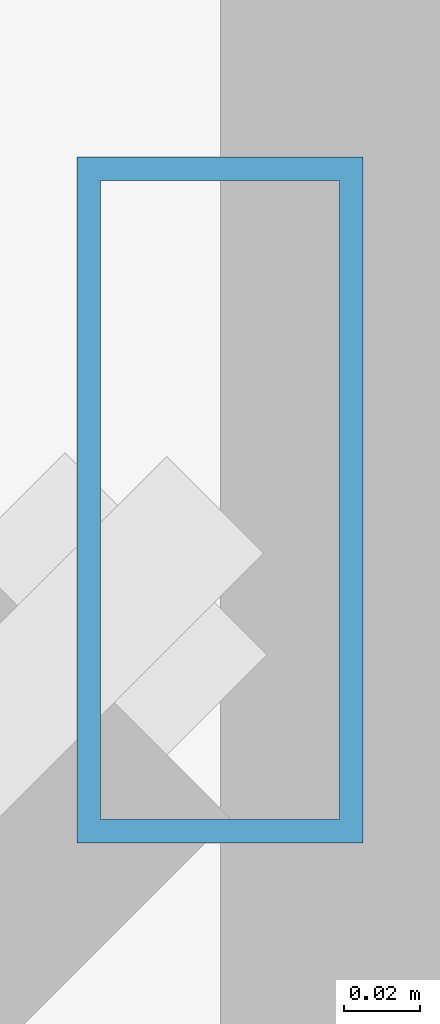
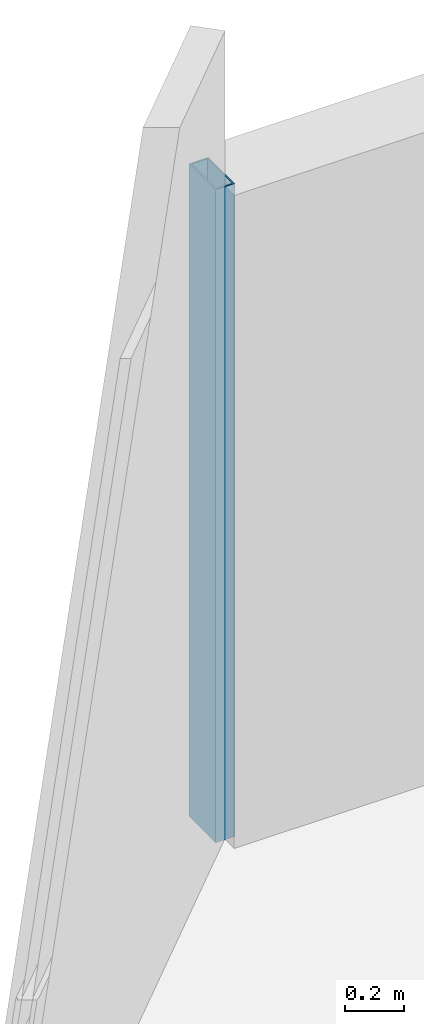
# One storey, part 18 of 34: 1 member, 1 element without a shape of its own.
"""IFC4 building model written with IfcOpenShell, lengths in metres."""

from ifc_helpers import new_model, si_unit, direction, frame, origin, origin_2d, place, context, subcontext, project, spatial, hollow_rectangle, extrude, material, material_profile, profile_set, type_object, element, aggregate, save


model = new_model("IFC4")

# Units and contexts
model_context = context("Model", 3, precision=1e-05, world=origin(), true_north=direction((0.0, 1.0)))
body_context = subcontext(model_context, "Body", "Model", "MODEL_VIEW")
ifc_project = project(units=[si_unit("LENGTHUNIT", "METRE"), si_unit("AREAUNIT", "SQUARE_METRE"), si_unit("VOLUMEUNIT", "CUBIC_METRE"), si_unit("PLANEANGLEUNIT", "RADIAN"), si_unit("MASSUNIT", "GRAM", prefix="KILO")], contexts=[model_context])

# Site, building, storey
site_placement = place(None, origin())
site = spatial("IfcSite", under=ifc_project, at=site_placement, CompositionType="ELEMENT")
building_placement = place(site_placement, origin())
building = spatial("IfcBuilding", under=site, at=building_placement, Name="Thornwick Lancets Civic Towers", CompositionType="ELEMENT")
storey_placement = place(building_placement, frame((0.0, 0.0, 261.89990234375)))
storey = spatial("IfcBuildingStorey", under=building, at=storey_placement, Name="L70", CompositionType="ELEMENT", Elevation=261.89990234375)

# Curtain wall, member
ifc_material_1 = material(Name="High-zone chamfered-corner unitised glass curtain wall", Category="glass")
curtain_wall_type = type_object("IfcCurtainWallType", Name="CW_SYS_05", PredefinedType="NOTDEFINED", material=ifc_material_1)
curtain_wall_placement = place(storey_placement, origin())
curtain_wall = element("IfcCurtainWall", 1, at=curtain_wall_placement, inside=storey, type_object=curtain_wall_type, Name="L70 Curtain Wall CW-L70-B-E5", PredefinedType="NOTDEFINED")
ifc_material_2 = material(Name="Thermally broken bronze aluminium S355", Category="steel")
ifc_material_profile = material_profile(ifc_material_2, hollow_rectangle(XDim=0.074951171875, YDim=0.179931640625, WallThickness=0.006103515625, at=origin_2d()), Name="RHS 180x75x6")
ifc_profile_set = profile_set([ifc_material_profile], Name="Thermally broken bronze aluminium S355")
member_type = type_object("IfcMemberType", Name="CW_MUL_180", PredefinedType="MULLION", material=ifc_profile_set)
member_placement = place(storey_placement, frame((74.42236328125, 50.760986328125, 0.0), z_axis=(0.0, 0.0, 1.0), x_axis=(1.0, 0.0, 0.0)))
member = element("IfcMember", 2, at=member_placement, type_object=member_type, Name="CW-L70-B-E5 Mullion 0", PredefinedType="MULLION", context=body_context, shape_type="SweptSolid", body=[
    extrude(hollow_rectangle(XDim=0.074951171875, YDim=0.179931640625, WallThickness=0.006103515625, at=origin_2d()), origin(), (0.0, 0.0, 1.0), 2.7001953125),
])
aggregate(curtain_wall, [member])

save(model, "model.ifc")
